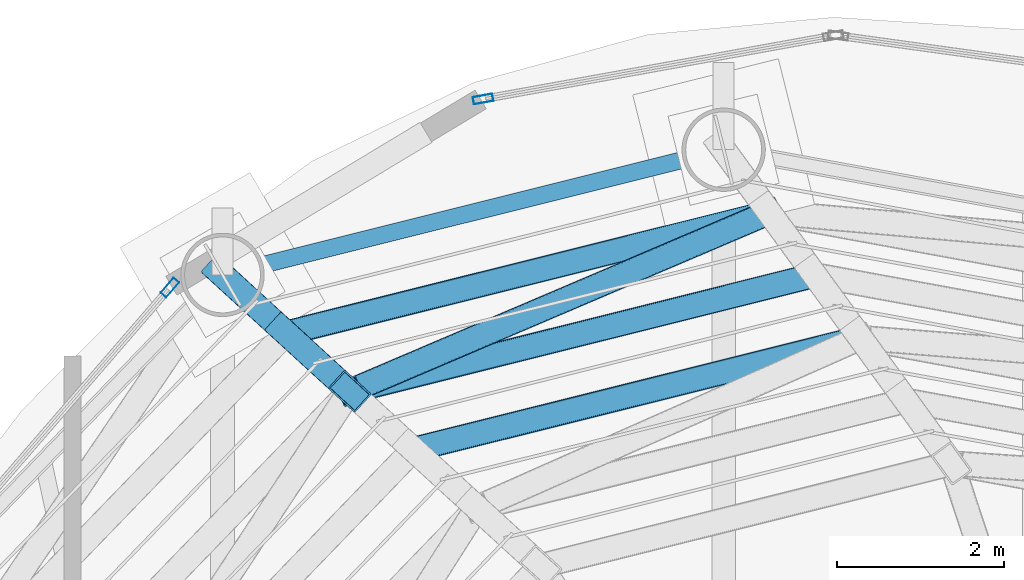
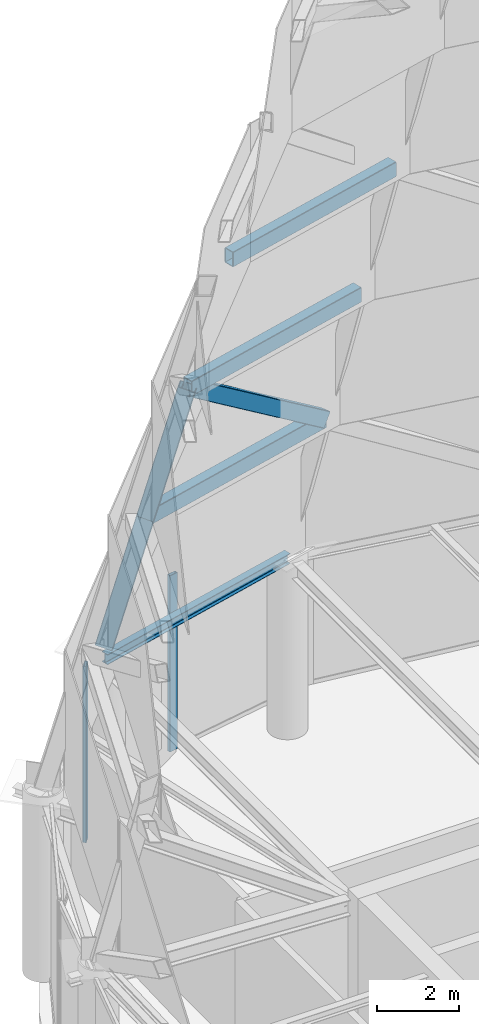
# One storey, part 28 of 40: 8 members, 1 beam, 2 elements without a shape of their own.
"""IFC4 building model written with IfcOpenShell, lengths in metres."""

from ifc_helpers import new_model, si_unit, direction, frame, origin, origin_2d, place, context, subcontext, project, spatial, hollow_rectangle, i_section, extrude, material, layer, layer_set, material_profile, profile_set, type_object, element, aggregate, save


model = new_model("IFC4")

# Units and contexts
model_context = context("Model", 3, precision=1e-05, world=origin(), true_north=direction((0.0, 1.0)))
body_context = subcontext(model_context, "Body", "Model", "MODEL_VIEW")
ifc_project = project(units=[si_unit("LENGTHUNIT", "METRE"), si_unit("AREAUNIT", "SQUARE_METRE"), si_unit("VOLUMEUNIT", "CUBIC_METRE"), si_unit("PLANEANGLEUNIT", "RADIAN"), si_unit("MASSUNIT", "GRAM", prefix="KILO")], contexts=[model_context])

# Site, building, storey
site_placement = place(None, origin())
site = spatial("IfcSite", under=ifc_project, at=site_placement, CompositionType="ELEMENT")
building_placement = place(site_placement, origin())
building = spatial("IfcBuilding", under=site, at=building_placement, Name="Bramvorn Convention Spire", CompositionType="ELEMENT")
storey_placement = place(building_placement, frame((0.0, 0.0, 312.5)))
storey = spatial("IfcBuildingStorey", under=building, at=storey_placement, Name="L79", CompositionType="ELEMENT", Elevation=312.5)

# Beam
ifc_material_1 = material(Name="Steel CSA G40.21 Grade 350 (350W)", Category="steel")
ifc_material_profile_1 = material_profile(ifc_material_1, i_section(OverallWidth=0.202880859375, OverallDepth=0.302978515625, WebThickness=0.007568359375, FlangeThickness=0.01318359375, FilletRadius=0.013916015625, at=origin_2d()))
ifc_profile_set_1 = profile_set([ifc_material_profile_1], Name="Steel CSA G40.21 Grade 350 (350W) - W310X60")
beam_type = type_object("IfcBeamType", Name="BM-W310X60", PredefinedType="JOIST", material=ifc_profile_set_1)
beam_placement = place(storey_placement, frame((32.8115234375, 46.90087890625, 5.098388671875), z_axis=(-0.970177255997, -0.24239655927, 0.0), x_axis=(0.24239655927, -0.970177255997, 0.0)))
element("IfcBeam", 1, at=beam_placement, inside=storey, type_object=beam_type, Name="L79 mega-column ring beam 08", PredefinedType="JOIST", context=body_context, shape_type="SweptSolid", body=[
    extrude(i_section(OverallWidth=0.202880859375, OverallDepth=0.302978515625, WebThickness=0.007568359375, FlangeThickness=0.01318359375, FilletRadius=0.013916015625, at=origin_2d()), origin(), (0.0, 0.0, 1.0), 6.1962890625),
])

# Curtain wall, member
ifc_material_2 = material(Name="Anodised Bronze Unitised Curtain Wall", Category="aluminium")
ifc_layer = layer(ifc_material_2, 0.199951171875)
ifc_layer_set = layer_set([ifc_layer], Name="Anodised Bronze Unitised Curtain Wall - CW-CROWN-SPIRE")
curtain_wall_type = type_object("IfcCurtainWallType", Name="CW-CROWN-SPIRE", PredefinedType="USERDEFINED", material=ifc_layer_set)
curtain_wall_1_placement = place(storey_placement, origin())
curtain_wall_1 = element("IfcCurtainWall", 2, at=curtain_wall_1_placement, inside=storey, type_object=curtain_wall_type, Name="L79 fritted glass curtain wall 12", ObjectType="UNITISED CURTAIN WALL", PredefinedType="USERDEFINED")
ifc_material_3 = material(Name="Anodised Bronze Aluminium 6063-T6", Category="aluminium")
ifc_material_profile_2 = material_profile(ifc_material_3, hollow_rectangle(XDim=0.090087890625, YDim=0.239990234375, WallThickness=0.00439453125, InnerFilletRadius=0.0009765625, OuterFilletRadius=0.00439453125, at=origin_2d()))
ifc_profile_set_2 = profile_set([ifc_material_profile_2], Name="Anodised Bronze Aluminium 6063-T6 - CWM90X240")
member_type_1 = type_object("IfcMemberType", Name="CW-MUL-220", PredefinedType="MULLION", material=ifc_profile_set_2)
member_1_placement = place(storey_placement, frame((29.925537109375, 47.509033203125, 0.0), z_axis=(0.0, 0.0, 1.0), x_axis=(-0.17763345328, 0.984096720996, 0.0)))
member_1 = element("IfcMember", 3, at=member_1_placement, type_object=member_type_1, Name="CW6 mullion 1", PredefinedType="MULLION", context=body_context, shape_type="SweptSolid", body=[
    extrude(hollow_rectangle(XDim=0.090087890625, YDim=0.239990234375, WallThickness=0.00439453125, InnerFilletRadius=0.0009765625, OuterFilletRadius=0.00439453125, at=origin_2d()), origin(), (0.0, 0.0, 1.0), 5.25),
])
aggregate(curtain_wall_1, [member_1])

curtain_wall_2_placement = place(storey_placement, origin())
curtain_wall_2 = element("IfcCurtainWall", 4, at=curtain_wall_2_placement, inside=storey, type_object=curtain_wall_type, Name="L79 fritted glass curtain wall 14", ObjectType="UNITISED CURTAIN WALL", PredefinedType="USERDEFINED")
member_2_placement = place(storey_placement, frame((26.167236328125, 45.24609375, 0.0), z_axis=(0.0, 0.0, 1.0), x_axis=(-0.756460178654, 0.6540397527, 0.0)))
member_2 = element("IfcMember", 5, at=member_2_placement, type_object=member_type_1, Name="CW6 mullion 2", PredefinedType="MULLION", context=body_context, shape_type="SweptSolid", body=[
    extrude(hollow_rectangle(XDim=0.090087890625, YDim=0.239990234375, WallThickness=0.00439453125, InnerFilletRadius=0.0009765625, OuterFilletRadius=0.00439453125, at=origin_2d()), origin(), (0.0, 0.0, 1.0), 5.25),
])
aggregate(curtain_wall_2, [member_2])

# Members
ifc_material_profile_3 = material_profile(ifc_material_1, hollow_rectangle(XDim=0.300048828125, YDim=0.449951171875, WallThickness=0.02001953125, InnerFilletRadius=0.00390625, OuterFilletRadius=0.02392578125, at=origin_2d()))
ifc_profile_set_3 = profile_set([ifc_material_profile_3], Name="Steel CSA G40.21 Grade 350 (350W) - CROWN450X300X20")
member_type_2 = type_object("IfcMemberType", Name="MBR-CROWN450X300X20", PredefinedType="USERDEFINED", material=ifc_profile_set_3)
member_3_placement = place(storey_placement, frame((33.3583984375, 46.1484375, 9.5), z_axis=(-0.970183358568, -0.242372132801, 0.0), x_axis=(0.242372132801, -0.970183358568, 0.0)))
element("IfcMember", 6, at=member_3_placement, inside=storey, type_object=member_type_2, Name="Crown spire CROWN FRAME ring beam T1-08", ObjectType="CROWN FRAME", PredefinedType="USERDEFINED", context=body_context, shape_type="SweptSolid", body=[
    extrude(hollow_rectangle(XDim=0.300048828125, YDim=0.449951171875, WallThickness=0.02001953125, InnerFilletRadius=0.00390625, OuterFilletRadius=0.02392578125, at=origin_2d()), origin(), (0.0, 0.0, 1.0), 5.973388671875),
])
member_4_placement = place(storey_placement, frame((26.800048828125, 45.39892578125, 5.5), z_axis=(0.184719342981, -0.169001062357, 0.968151540437), x_axis=(0.675018929262, 0.737800410096, 0.0)))
element("IfcMember", 7, at=member_4_placement, inside=storey, type_object=member_type_2, Name="Crown spire CROWN FRAME rib T1-09", ObjectType="CROWN FRAME", PredefinedType="USERDEFINED", context=body_context, shape_type="SweptSolid", body=[
    extrude(hollow_rectangle(XDim=0.300048828125, YDim=0.449951171875, WallThickness=0.02001953125, InnerFilletRadius=0.00390625, OuterFilletRadius=0.02392578125, at=origin_2d()), origin(), (0.0, 0.0, 1.0), 4.131591796875),
])
member_5_placement = place(storey_placement, frame((33.905029296875, 45.39599609375, 13.5), z_axis=(-0.970177455913, -0.242395759116, 0.0), x_axis=(0.242395759116, -0.970177455913, 0.0)))
element("IfcMember", 8, at=member_5_placement, inside=storey, type_object=member_type_2, Name="Crown spire CROWN FRAME ring beam T2-08", ObjectType="CROWN FRAME", PredefinedType="USERDEFINED", context=body_context, shape_type="SweptSolid", body=[
    extrude(hollow_rectangle(XDim=0.300048828125, YDim=0.449951171875, WallThickness=0.02001953125, InnerFilletRadius=0.00390625, OuterFilletRadius=0.02392578125, at=origin_2d()), origin(), (0.0, 0.0, 1.0), 5.75),
])
member_6_placement = place(storey_placement, frame((33.3583984375, 46.1484375, 9.5), z_axis=(-0.742513164708, -0.316696580998, 0.590235102158), x_axis=(0.392324410543, -0.919826916812, 0.0)))
element("IfcMember", 9, at=member_6_placement, inside=storey, type_object=member_type_2, Name="Crown spire CROWN FRAME wind brace T2-08", ObjectType="CROWN FRAME", PredefinedType="USERDEFINED", context=body_context, shape_type="SweptSolid", body=[
    extrude(hollow_rectangle(XDim=0.300048828125, YDim=0.449951171875, WallThickness=0.02001953125, InnerFilletRadius=0.00390625, OuterFilletRadius=0.02392578125, at=origin_2d()), origin(), (0.0, 0.0, 1.0), 6.77685546875),
])
member_7_placement = place(storey_placement, frame((27.563232421875, 44.70068359375, 9.5), z_axis=(0.184717497989, -0.16905846505, 0.968141870457), x_axis=(0.675147376249, 0.737682872476, 0.0)))
element("IfcMember", 10, at=member_7_placement, inside=storey, type_object=member_type_2, Name="Crown spire CROWN FRAME rib T2-09", ObjectType="CROWN FRAME", PredefinedType="USERDEFINED", context=body_context, shape_type="SweptSolid", body=[
    extrude(hollow_rectangle(XDim=0.300048828125, YDim=0.449951171875, WallThickness=0.02001953125, InnerFilletRadius=0.00390625, OuterFilletRadius=0.02392578125, at=origin_2d()), origin(), (0.0, 0.0, 1.0), 4.131591796875),
])
member_8_placement = place(storey_placement, frame((34.451904296875, 44.6435546875, 17.5), z_axis=(-0.970184059122, -0.242369328556, 0.0), x_axis=(0.242369328556, -0.970184059122, 0.0)))
element("IfcMember", 11, at=member_8_placement, inside=storey, type_object=member_type_2, Name="Crown spire CROWN FRAME ring beam T3-08", ObjectType="CROWN FRAME", PredefinedType="USERDEFINED", context=body_context, shape_type="SweptSolid", body=[
    extrude(hollow_rectangle(XDim=0.300048828125, YDim=0.449951171875, WallThickness=0.02001953125, InnerFilletRadius=0.00390625, OuterFilletRadius=0.02392578125, at=origin_2d()), origin(), (0.0, 0.0, 1.0), 5.527099609375),
])

save(model, "model.ifc")
